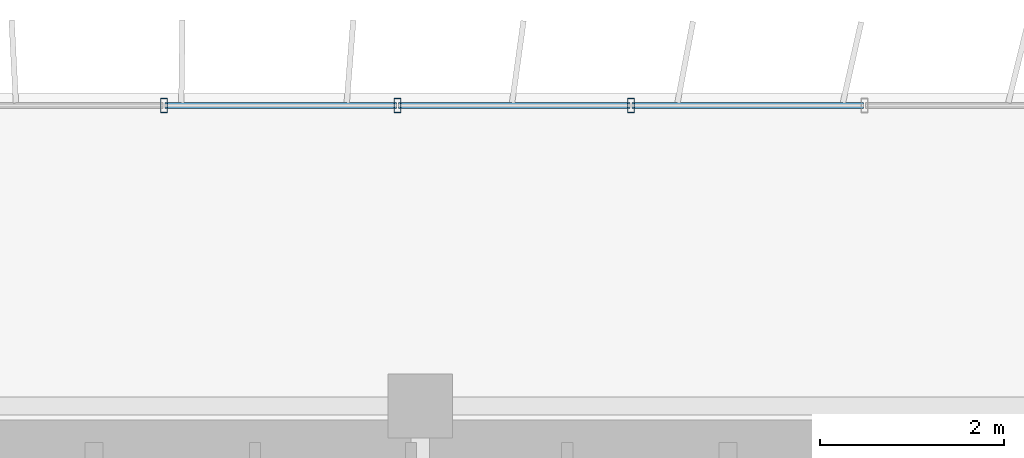
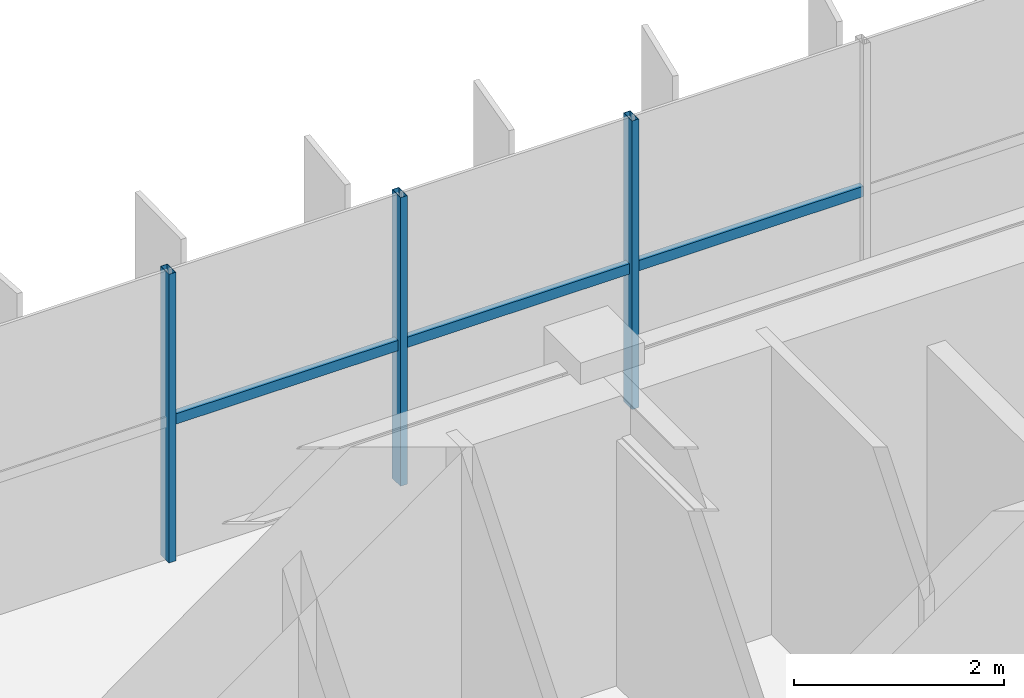
# One storey, part 9 of 20: 6 members, 1 element without a shape of its own.
"""IFC4 building model written with IfcOpenShell, lengths in metres."""

from ifc_helpers import new_model, si_unit, direction, frame, origin, origin_2d, place, context, subcontext, project, spatial, hollow_rectangle, extrude, source, transform, mapped, material, material_profile, profile_set, type_object, element, aggregate, save


model = new_model("IFC4")

# Units and contexts
model_context = context("Model", 3, precision=1e-05, world=origin(), true_north=direction((0.0, 1.0)))
body_context = subcontext(model_context, "Body", "Model", "MODEL_VIEW")
ifc_project = project(units=[si_unit("LENGTHUNIT", "METRE"), si_unit("AREAUNIT", "SQUARE_METRE"), si_unit("VOLUMEUNIT", "CUBIC_METRE"), si_unit("PLANEANGLEUNIT", "RADIAN"), si_unit("MASSUNIT", "GRAM", prefix="KILO")], contexts=[model_context])

# Site, building, storey
site_placement = place(None, origin())
site = spatial("IfcSite", under=ifc_project, at=site_placement, CompositionType="ELEMENT")
building_placement = place(site_placement, origin())
building = spatial("IfcBuilding", under=site, at=building_placement, Name="Trelvane Seafront Commons", CompositionType="ELEMENT")
storey_placement = place(building_placement, frame((0.0, 0.0, 171.699951171875)))
storey = spatial("IfcBuildingStorey", under=building, at=storey_placement, Name="L45", CompositionType="ELEMENT", Elevation=171.699951171875)

# Curtain wall, members
ifc_material = material(Name="Anodised pale-silver aluminium", Category="aluminium")
curtain_wall_type = type_object("IfcCurtainWallType", Name="ARCH-CW5-UPTOWER", PredefinedType="NOTDEFINED", material=ifc_material)
curtain_wall_placement = place(storey_placement, origin())
curtain_wall = element("IfcCurtainWall", 1, at=curtain_wall_placement, inside=storey, type_object=curtain_wall_type, Name="CW-L45-0072", PredefinedType="NOTDEFINED")
ifc_material_profile_1 = material_profile(ifc_material, hollow_rectangle(XDim=0.070068359375, YDim=0.1201171875, WallThickness=0.00390625, at=origin_2d()), Name="TRAN-70x120x4")
ifc_profile_set_1 = profile_set([ifc_material_profile_1], Name="Anodised pale-silver aluminium")
member_type_1 = type_object("IfcMemberType", Name="ARCH-CW-TRAN-120", PredefinedType="USERDEFINED", material=ifc_profile_set_1)
shared_shape_1 = source(origin(), body_context, "Body", "SweptSolid", [
    extrude(hollow_rectangle(XDim=0.070068359375, YDim=0.1201171875, WallThickness=0.00390625, at=origin_2d()), origin(), (0.0, 0.0, 1.0), 2.51708984375),
])
member_1_placement = place(storey_placement, frame((43.56494140625, 48.3701171875, 1.608154296875), z_axis=(1.0, 0.0, 0.0), x_axis=(0.0, 1.0, 0.0)))
member_1 = element("IfcMember", 2, at=member_1_placement, type_object=member_type_1, Name="CW-L45-0072-T11", ObjectType="TRANSOM", PredefinedType="USERDEFINED", context=body_context, shape_type="MappedRepresentation", body=[
    mapped(shared_shape_1, transform((0.0, 0.0, 0.0), x_axis=(1.0, 0.0, 0.0), y_axis=(0.0, 1.0, 0.0), z_axis=(0.0, 0.0, 1.0), scale=1.0)),
])
member_2_placement = place(storey_placement, frame((46.106201171875, 48.3701171875, 1.608154296875), z_axis=(1.0, 0.0, 0.0), x_axis=(0.0, 1.0, 0.0)))
member_2 = element("IfcMember", 3, at=member_2_placement, type_object=member_type_1, Name="CW-L45-0072-T12", ObjectType="TRANSOM", PredefinedType="USERDEFINED", context=body_context, shape_type="MappedRepresentation", body=[
    mapped(shared_shape_1, transform((0.0, 0.0, 0.0), x_axis=(1.0, 0.0, 0.0), y_axis=(0.0, 1.0, 0.0), z_axis=(0.0, 0.0, 1.0), scale=1.0)),
])
shared_shape_2 = source(origin(), body_context, "Body", "SweptSolid", [
    extrude(hollow_rectangle(XDim=0.070068359375, YDim=0.1201171875, WallThickness=0.00390625, at=origin_2d()), origin(), (0.0, 0.0, 1.0), 2.517333984375),
])
member_3_placement = place(storey_placement, frame((41.023681640625, 48.3701171875, 1.608154296875), z_axis=(1.0, 0.0, 0.0), x_axis=(0.0, 1.0, 0.0)))
member_3 = element("IfcMember", 4, at=member_3_placement, type_object=member_type_1, Name="CW-L45-0072-T10", ObjectType="TRANSOM", PredefinedType="USERDEFINED", context=body_context, shape_type="MappedRepresentation", body=[
    mapped(shared_shape_2, transform((0.0, 0.0, 0.0), x_axis=(1.0, 0.0, 0.0), y_axis=(0.0, 1.0, 0.0), z_axis=(0.0, 0.0, 1.0), scale=1.0)),
])
ifc_material_profile_2 = material_profile(ifc_material, hollow_rectangle(XDim=0.074951171875, YDim=0.159912109375, WallThickness=0.00390625, at=origin_2d()), Name="MULL-75x160x4")
ifc_profile_set_2 = profile_set([ifc_material_profile_2], Name="Anodised pale-silver aluminium")
member_type_2 = type_object("IfcMemberType", Name="ARCH-CW-MULL-160", PredefinedType="MULLION", material=ifc_profile_set_2)
shared_shape_3 = source(origin(), body_context, "Body", "SweptSolid", [
    extrude(hollow_rectangle(XDim=0.074951171875, YDim=0.159912109375, WallThickness=0.00390625, at=origin_2d()), origin(), (0.0, 0.0, 1.0), 3.35009765625),
])
member_4_placement = place(storey_placement, frame((41.01171875, 48.3701171875, 0.0), z_axis=(0.0, 0.0, 1.0), x_axis=(1.0, 0.0, 0.0)))
member_4 = element("IfcMember", 5, at=member_4_placement, type_object=member_type_2, Name="CW-L45-0072-M10", PredefinedType="MULLION", context=body_context, shape_type="MappedRepresentation", body=[
    mapped(shared_shape_3, transform((0.0, 0.0, 0.0), x_axis=(1.0, 0.0, 0.0), y_axis=(0.0, 1.0, 0.0), z_axis=(0.0, 0.0, 1.0), scale=1.0)),
])
member_5_placement = place(storey_placement, frame((43.552978515625, 48.3701171875, 0.0), z_axis=(0.0, 0.0, 1.0), x_axis=(1.0, 0.0, 0.0)))
member_5 = element("IfcMember", 6, at=member_5_placement, type_object=member_type_2, Name="CW-L45-0072-M11", PredefinedType="MULLION", context=body_context, shape_type="MappedRepresentation", body=[
    mapped(shared_shape_3, transform((0.0, 0.0, 0.0), x_axis=(1.0, 0.0, 0.0), y_axis=(0.0, 1.0, 0.0), z_axis=(0.0, 0.0, 1.0), scale=1.0)),
])
member_6_placement = place(storey_placement, frame((46.093994140625, 48.3701171875, 0.0), z_axis=(0.0, 0.0, 1.0), x_axis=(1.0, 0.0, 0.0)))
member_6 = element("IfcMember", 7, at=member_6_placement, type_object=member_type_2, Name="CW-L45-0072-M12", PredefinedType="MULLION", context=body_context, shape_type="MappedRepresentation", body=[
    mapped(shared_shape_3, transform((0.0, 0.0, 0.0), x_axis=(1.0, 0.0, 0.0), y_axis=(0.0, 1.0, 0.0), z_axis=(0.0, 0.0, 1.0), scale=1.0)),
])
aggregate(curtain_wall, [member_4, member_5, member_6, member_3, member_1, member_2])

save(model, "model.ifc")
